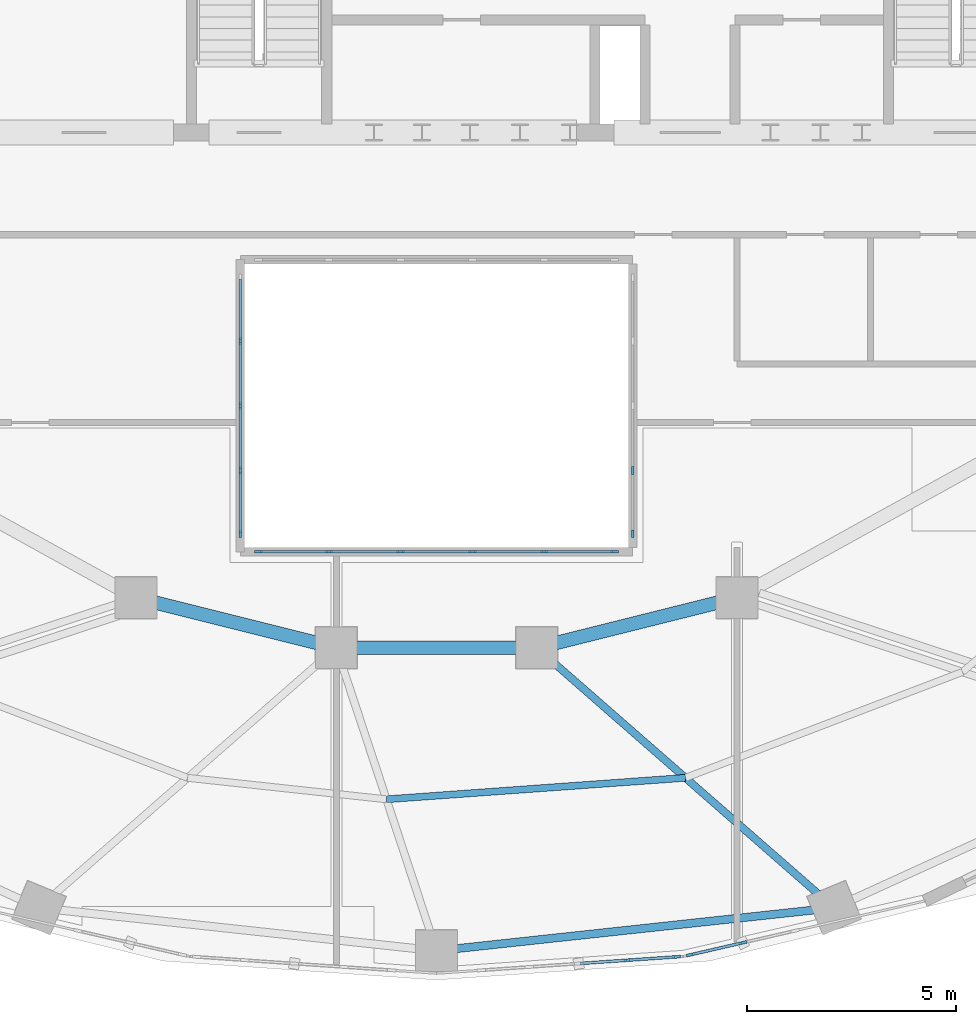
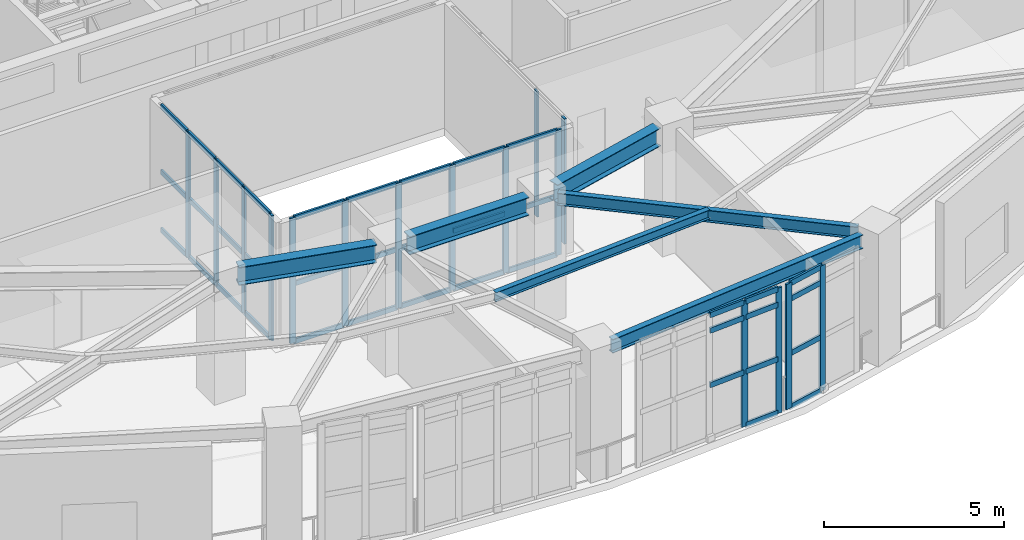
# One storey, part 3 of 11: 54 members, 6 beams, 5 elements without a shape of their own.
"""IFC4 building model written with IfcOpenShell, lengths in metres."""

from ifc_helpers import new_model, si_unit, direction, frame, origin, origin_2d, place, context, subcontext, project, spatial, rectangle, i_section, extrude, material, material_profile, profile_set, type_object, element, aggregate, save


model = new_model("IFC4")

# Units and contexts
model_context = context("Model", 3, precision=1e-05, world=origin(), true_north=direction((0.0, 1.0)))
body_context = subcontext(model_context, "Body", "Model", "MODEL_VIEW")
ifc_project = project(units=[si_unit("LENGTHUNIT", "METRE"), si_unit("AREAUNIT", "SQUARE_METRE"), si_unit("VOLUMEUNIT", "CUBIC_METRE"), si_unit("PLANEANGLEUNIT", "RADIAN"), si_unit("MASSUNIT", "GRAM", prefix="KILO")], contexts=[model_context])

# Site, building, storey
site_placement = place(None, origin())
site = spatial("IfcSite", under=ifc_project, at=site_placement, CompositionType="ELEMENT")
building_placement = place(site_placement, origin())
building = spatial("IfcBuilding", under=site, at=building_placement, Name="Haldorwick Loom Tower", CompositionType="ELEMENT")
storey_placement = place(building_placement, frame((0.0, 0.0, 247.800048828125)))
storey = spatial("IfcBuildingStorey", under=building, at=storey_placement, Name="L67", CompositionType="ELEMENT", Elevation=247.800048828125)

# Curtain wall, members
ifc_material_1 = material(Name="Thermally Broken Anodized Aluminium Curtain Wall Framing", Category="aluminium")
curtain_wall_type_1 = type_object("IfcCurtainWallType", Name="ARC-CW-03", PredefinedType="NOTDEFINED", material=ifc_material_1)
curtain_wall_1_placement = place(storey_placement, origin())
curtain_wall_1 = element("IfcCurtainWall", 1, at=curtain_wall_1_placement, inside=storey, type_object=curtain_wall_type_1, Name="L67 Atrium Glazed Screen S", PredefinedType="NOTDEFINED")
ifc_material_profile_1 = material_profile(ifc_material_1, rectangle(XDim=0.06591796875, YDim=0.18505859375, at=origin_2d()), Name="ALU_MUL_66X185", Category="aluminium")
ifc_profile_set_1 = profile_set([ifc_material_profile_1], Name="Thermally Broken Anodized Aluminium Curtain Wall Framing")
member_type_1 = type_object("IfcMemberType", Name="ARC-CWM-03", PredefinedType="MULLION", material=ifc_profile_set_1)
member_1_placement = place(storey_placement, frame((40.26708984375, 16.699951171875, 0.0), z_axis=(0.0, 0.0, 1.0), x_axis=(0.0, -1.0, 0.0)))
member_1 = element("IfcMember", 2, at=member_1_placement, type_object=member_type_1, Name="CW-03 mullion 1", PredefinedType="MULLION", context=body_context, shape_type="SweptSolid", body=[
    extrude(rectangle(XDim=0.06591796875, YDim=0.18505859375, at=origin_2d()), origin(), (0.0, 0.0, 1.0), 4.260009765625),
])
member_2_placement = place(storey_placement, frame((38.580078125, 16.699951171875, 0.0), z_axis=(0.0, 0.0, 1.0), x_axis=(0.0, -1.0, 0.0)))
member_2 = element("IfcMember", 3, at=member_2_placement, type_object=member_type_1, Name="CW-03 mullion 2", PredefinedType="MULLION", context=body_context, shape_type="SweptSolid", body=[
    extrude(rectangle(XDim=0.06591796875, YDim=0.18505859375, at=origin_2d()), origin(), (0.0, 0.0, 1.0), 4.260009765625),
])
member_3_placement = place(storey_placement, frame((36.860107421875, 16.699951171875, 0.0), z_axis=(0.0, 0.0, 1.0), x_axis=(0.0, -1.0, 0.0)))
member_3 = element("IfcMember", 4, at=member_3_placement, type_object=member_type_1, Name="CW-03 mullion 3", PredefinedType="MULLION", context=body_context, shape_type="SweptSolid", body=[
    extrude(rectangle(XDim=0.06591796875, YDim=0.18505859375, at=origin_2d()), origin(), (0.0, 0.0, 1.0), 4.260009765625),
])
member_4_placement = place(storey_placement, frame((35.139892578125, 16.699951171875, 0.0), z_axis=(0.0, 0.0, 1.0), x_axis=(0.0, -1.0, 0.0)))
member_4 = element("IfcMember", 5, at=member_4_placement, type_object=member_type_1, Name="CW-03 mullion 4", PredefinedType="MULLION", context=body_context, shape_type="SweptSolid", body=[
    extrude(rectangle(XDim=0.06591796875, YDim=0.18505859375, at=origin_2d()), origin(), (0.0, 0.0, 1.0), 4.260009765625),
])
member_5_placement = place(storey_placement, frame((33.419921875, 16.699951171875, 0.0), z_axis=(0.0, 0.0, 1.0), x_axis=(0.0, -1.0, 0.0)))
member_5 = element("IfcMember", 6, at=member_5_placement, type_object=member_type_1, Name="CW-03 mullion 5", PredefinedType="MULLION", context=body_context, shape_type="SweptSolid", body=[
    extrude(rectangle(XDim=0.06591796875, YDim=0.18505859375, at=origin_2d()), origin(), (0.0, 0.0, 1.0), 4.260009765625),
])
member_6_placement = place(storey_placement, frame((31.73291015625, 16.699951171875, 0.0), z_axis=(0.0, 0.0, 1.0), x_axis=(0.0, -1.0, 0.0)))
member_6 = element("IfcMember", 7, at=member_6_placement, type_object=member_type_1, Name="CW-03 mullion 6", PredefinedType="MULLION", context=body_context, shape_type="SweptSolid", body=[
    extrude(rectangle(XDim=0.06591796875, YDim=0.18505859375, at=origin_2d()), origin(), (0.0, 0.0, 1.0), 4.260009765625),
])

curtain_wall_2_placement = place(storey_placement, origin())
curtain_wall_2 = element("IfcCurtainWall", 8, at=curtain_wall_2_placement, inside=storey, type_object=curtain_wall_type_1, Name="L67 Atrium Glazed Screen W", PredefinedType="NOTDEFINED")
member_7_placement = place(storey_placement, frame((31.300048828125, 17.133056640625, 0.0), z_axis=(0.0, 0.0, 1.0), x_axis=(-1.0, 0.0, 0.0)))
member_7 = element("IfcMember", 9, at=member_7_placement, type_object=member_type_1, Name="CW-03 mullion 1", PredefinedType="MULLION", context=body_context, shape_type="SweptSolid", body=[
    extrude(rectangle(XDim=0.06591796875, YDim=0.18505859375, at=origin_2d()), origin(), (0.0, 0.0, 1.0), 4.260009765625),
])
member_8_placement = place(storey_placement, frame((31.300048828125, 18.64990234375, 0.0), z_axis=(0.0, 0.0, 1.0), x_axis=(-1.0, 0.0, 0.0)))
member_8 = element("IfcMember", 10, at=member_8_placement, type_object=member_type_1, Name="CW-03 mullion 2", PredefinedType="MULLION", context=body_context, shape_type="SweptSolid", body=[
    extrude(rectangle(XDim=0.06591796875, YDim=0.18505859375, at=origin_2d()), origin(), (0.0, 0.0, 1.0), 4.260009765625),
])
member_9_placement = place(storey_placement, frame((31.300048828125, 20.199951171875, 0.0), z_axis=(0.0, 0.0, 1.0), x_axis=(-1.0, 0.0, 0.0)))
member_9 = element("IfcMember", 11, at=member_9_placement, type_object=member_type_1, Name="CW-03 mullion 3", PredefinedType="MULLION", context=body_context, shape_type="SweptSolid", body=[
    extrude(rectangle(XDim=0.06591796875, YDim=0.18505859375, at=origin_2d()), origin(), (0.0, 0.0, 1.0), 4.260009765625),
])
member_10_placement = place(storey_placement, frame((31.300048828125, 21.75, 0.0), z_axis=(0.0, 0.0, 1.0), x_axis=(-1.0, 0.0, 0.0)))
member_10 = element("IfcMember", 12, at=member_10_placement, type_object=member_type_1, Name="CW-03 mullion 4", PredefinedType="MULLION", context=body_context, shape_type="SweptSolid", body=[
    extrude(rectangle(XDim=0.06591796875, YDim=0.18505859375, at=origin_2d()), origin(), (0.0, 0.0, 1.0), 4.260009765625),
])

curtain_wall_3_placement = place(storey_placement, origin())
curtain_wall_3 = element("IfcCurtainWall", 13, at=curtain_wall_3_placement, inside=storey, type_object=curtain_wall_type_1, Name="L67 Atrium Glazed Screen E", PredefinedType="NOTDEFINED")
member_11_placement = place(storey_placement, frame((40.699951171875, 18.64990234375, 0.0), z_axis=(0.0, 0.0, 1.0), x_axis=(1.0, 0.0, 0.0)))
member_11 = element("IfcMember", 14, at=member_11_placement, type_object=member_type_1, Name="CW-03 mullion 4", PredefinedType="MULLION", context=body_context, shape_type="SweptSolid", body=[
    extrude(rectangle(XDim=0.06591796875, YDim=0.18505859375, at=origin_2d()), origin(), (0.0, 0.0, 1.0), 4.260009765625),
])
member_12_placement = place(storey_placement, frame((40.699951171875, 17.133056640625, 0.0), z_axis=(0.0, 0.0, 1.0), x_axis=(1.0, 0.0, 0.0)))
member_12 = element("IfcMember", 15, at=member_12_placement, type_object=member_type_1, Name="CW-03 mullion 5", PredefinedType="MULLION", context=body_context, shape_type="SweptSolid", body=[
    extrude(rectangle(XDim=0.06591796875, YDim=0.18505859375, at=origin_2d()), origin(), (0.0, 0.0, 1.0), 4.260009765625),
])
aggregate(curtain_wall_3, [member_11, member_12])

curtain_wall_type_2 = type_object("IfcCurtainWallType", Name="ARC-CW-05", PredefinedType="NOTDEFINED", material=ifc_material_1)
curtain_wall_4_placement = place(storey_placement, origin())
curtain_wall_4 = element("IfcCurtainWall", 16, at=curtain_wall_4_placement, inside=storey, type_object=curtain_wall_type_2, Name="L67 Facade Curtain Wall CW-05 Bay 19", PredefinedType="NOTDEFINED")
ifc_material_profile_2 = material_profile(ifc_material_1, rectangle(XDim=0.068115234375, YDim=0.201904296875, at=origin_2d()), Name="ALU_MUL_68X202", Category="aluminium")
ifc_profile_set_2 = profile_set([ifc_material_profile_2], Name="Thermally Broken Anodized Aluminium Curtain Wall Framing")
member_type_2 = type_object("IfcMemberType", Name="ARC-CWM-05", PredefinedType="MULLION", material=ifc_profile_set_2)
member_13_placement = place(storey_placement, frame((40.593505859375, 6.915283203125, 0.0), z_axis=(0.0, 0.0, 1.0), x_axis=(-0.06845430734, 0.997654252638, 0.0)))
member_13 = element("IfcMember", 17, at=member_13_placement, type_object=member_type_2, Name="CW-05 mullion 4", PredefinedType="MULLION", context=body_context, shape_type="SweptSolid", body=[
    extrude(rectangle(XDim=0.068115234375, YDim=0.201904296875, at=origin_2d()), origin(), (0.0, 0.0, 1.0), 4.260009765625),
])
member_14_placement = place(storey_placement, frame((41.745849609375, 6.994384765625, 0.0), z_axis=(0.0, 0.0, 1.0), x_axis=(-0.06845430734, 0.997654252638, 0.0)))
member_14 = element("IfcMember", 18, at=member_14_placement, type_object=member_type_2, Name="CW-05 mullion 5", PredefinedType="MULLION", context=body_context, shape_type="SweptSolid", body=[
    extrude(rectangle(XDim=0.068115234375, YDim=0.201904296875, at=origin_2d()), origin(), (0.0, 0.0, 1.0), 4.260009765625),
])

curtain_wall_5_placement = place(storey_placement, origin())
curtain_wall_5 = element("IfcCurtainWall", 19, at=curtain_wall_5_placement, inside=storey, type_object=curtain_wall_type_2, Name="L67 Facade Curtain Wall CW-05 Bay 20", PredefinedType="NOTDEFINED")
member_15_placement = place(storey_placement, frame((42.089111328125, 7.045166015625, 0.0), z_axis=(0.0, 0.0, 1.0), x_axis=(-0.223948599878, 0.974600956604, 0.0)))
member_15 = element("IfcMember", 20, at=member_15_placement, type_object=member_type_2, Name="CW-05 mullion 1", PredefinedType="MULLION", context=body_context, shape_type="SweptSolid", body=[
    extrude(rectangle(XDim=0.068115234375, YDim=0.201904296875, at=origin_2d()), origin(), (0.0, 0.0, 1.0), 4.260009765625),
])
member_16_placement = place(storey_placement, frame((43.341552734375, 7.3330078125, 0.0), z_axis=(0.0, 0.0, 1.0), x_axis=(-0.223948599878, 0.974600956604, 0.0)))
member_16 = element("IfcMember", 21, at=member_16_placement, type_object=member_type_2, Name="CW-05 mullion 2", PredefinedType="MULLION", context=body_context, shape_type="SweptSolid", body=[
    extrude(rectangle(XDim=0.068115234375, YDim=0.201904296875, at=origin_2d()), origin(), (0.0, 0.0, 1.0), 4.260009765625),
])

# Member
ifc_material_profile_3 = material_profile(ifc_material_1, rectangle(XDim=0.06591796875, YDim=0.1650390625, at=origin_2d()), Name="ALU_TRN_66X165", Category="aluminium")
ifc_profile_set_3 = profile_set([ifc_material_profile_3], Name="Thermally Broken Anodized Aluminium Curtain Wall Framing")
member_type_3 = type_object("IfcMemberType", Name="ARC-CWT-03", PredefinedType="USERDEFINED", material=ifc_profile_set_3)
member_17_placement = place(storey_placement, frame((40.23388671875, 16.699951171875, 0.032958984375), z_axis=(-1.0, 0.0, 0.0), x_axis=(0.0, -1.0, 0.0)))
member_17 = element("IfcMember", 22, at=member_17_placement, type_object=member_type_3, Name="CW-03 transom 1.1", ObjectType="TRANSOM", PredefinedType="USERDEFINED", context=body_context, shape_type="SweptSolid", body=[
    extrude(rectangle(XDim=0.06591796875, YDim=0.1650390625, at=origin_2d()), origin(), (0.0, 0.0, 1.0), 1.620849609375),
])

member_18_placement = place(storey_placement, frame((40.23388671875, 16.699951171875, 2.0), z_axis=(-1.0, 0.0, 0.0), x_axis=(0.0, -1.0, 0.0)))
member_18 = element("IfcMember", 23, at=member_18_placement, type_object=member_type_3, Name="CW-03 transom 1.2", ObjectType="TRANSOM", PredefinedType="USERDEFINED", context=body_context, shape_type="SweptSolid", body=[
    extrude(rectangle(XDim=0.06591796875, YDim=0.1650390625, at=origin_2d()), origin(), (0.0, 0.0, 1.0), 1.620849609375),
])

member_19_placement = place(storey_placement, frame((40.23388671875, 16.699951171875, 4.22705078125), z_axis=(-1.0, 0.0, 0.0), x_axis=(0.0, -1.0, 0.0)))
member_19 = element("IfcMember", 24, at=member_19_placement, type_object=member_type_3, Name="CW-03 transom 1.3", ObjectType="TRANSOM", PredefinedType="USERDEFINED", context=body_context, shape_type="SweptSolid", body=[
    extrude(rectangle(XDim=0.06591796875, YDim=0.1650390625, at=origin_2d()), origin(), (0.0, 0.0, 1.0), 1.620849609375),
])

member_20_placement = place(storey_placement, frame((38.547119140625, 16.699951171875, 0.032958984375), z_axis=(-1.0, 0.0, 0.0), x_axis=(0.0, -1.0, 0.0)))
member_20 = element("IfcMember", 25, at=member_20_placement, type_object=member_type_3, Name="CW-03 transom 2.1", ObjectType="TRANSOM", PredefinedType="USERDEFINED", context=body_context, shape_type="SweptSolid", body=[
    extrude(rectangle(XDim=0.06591796875, YDim=0.1650390625, at=origin_2d()), origin(), (0.0, 0.0, 1.0), 1.654052734375),
])

member_21_placement = place(storey_placement, frame((38.547119140625, 16.699951171875, 2.0), z_axis=(-1.0, 0.0, 0.0), x_axis=(0.0, -1.0, 0.0)))
member_21 = element("IfcMember", 26, at=member_21_placement, type_object=member_type_3, Name="CW-03 transom 2.2", ObjectType="TRANSOM", PredefinedType="USERDEFINED", context=body_context, shape_type="SweptSolid", body=[
    extrude(rectangle(XDim=0.06591796875, YDim=0.1650390625, at=origin_2d()), origin(), (0.0, 0.0, 1.0), 1.654052734375),
])

member_22_placement = place(storey_placement, frame((38.547119140625, 16.699951171875, 4.22705078125), z_axis=(-1.0, 0.0, 0.0), x_axis=(0.0, -1.0, 0.0)))
member_22 = element("IfcMember", 27, at=member_22_placement, type_object=member_type_3, Name="CW-03 transom 2.3", ObjectType="TRANSOM", PredefinedType="USERDEFINED", context=body_context, shape_type="SweptSolid", body=[
    extrude(rectangle(XDim=0.06591796875, YDim=0.1650390625, at=origin_2d()), origin(), (0.0, 0.0, 1.0), 1.654052734375),
])

member_23_placement = place(storey_placement, frame((36.826904296875, 16.699951171875, 0.032958984375), z_axis=(-1.0, 0.0, 0.0), x_axis=(0.0, -1.0, 0.0)))
member_23 = element("IfcMember", 28, at=member_23_placement, type_object=member_type_3, Name="CW-03 transom 3.1", ObjectType="TRANSOM", PredefinedType="USERDEFINED", context=body_context, shape_type="SweptSolid", body=[
    extrude(rectangle(XDim=0.06591796875, YDim=0.1650390625, at=origin_2d()), origin(), (0.0, 0.0, 1.0), 1.65380859375),
])

member_24_placement = place(storey_placement, frame((36.826904296875, 16.699951171875, 2.0), z_axis=(-1.0, 0.0, 0.0), x_axis=(0.0, -1.0, 0.0)))
member_24 = element("IfcMember", 29, at=member_24_placement, type_object=member_type_3, Name="CW-03 transom 3.2", ObjectType="TRANSOM", PredefinedType="USERDEFINED", context=body_context, shape_type="SweptSolid", body=[
    extrude(rectangle(XDim=0.06591796875, YDim=0.1650390625, at=origin_2d()), origin(), (0.0, 0.0, 1.0), 1.65380859375),
])

member_25_placement = place(storey_placement, frame((36.826904296875, 16.699951171875, 4.22705078125), z_axis=(-1.0, 0.0, 0.0), x_axis=(0.0, -1.0, 0.0)))
member_25 = element("IfcMember", 30, at=member_25_placement, type_object=member_type_3, Name="CW-03 transom 3.3", ObjectType="TRANSOM", PredefinedType="USERDEFINED", context=body_context, shape_type="SweptSolid", body=[
    extrude(rectangle(XDim=0.06591796875, YDim=0.1650390625, at=origin_2d()), origin(), (0.0, 0.0, 1.0), 1.65380859375),
])

member_26_placement = place(storey_placement, frame((35.10693359375, 16.699951171875, 0.032958984375), z_axis=(-1.0, 0.0, 0.0), x_axis=(0.0, -1.0, 0.0)))
member_26 = element("IfcMember", 31, at=member_26_placement, type_object=member_type_3, Name="CW-03 transom 4.1", ObjectType="TRANSOM", PredefinedType="USERDEFINED", context=body_context, shape_type="SweptSolid", body=[
    extrude(rectangle(XDim=0.06591796875, YDim=0.1650390625, at=origin_2d()), origin(), (0.0, 0.0, 1.0), 1.654052734375),
])

member_27_placement = place(storey_placement, frame((35.10693359375, 16.699951171875, 2.0), z_axis=(-1.0, 0.0, 0.0), x_axis=(0.0, -1.0, 0.0)))
member_27 = element("IfcMember", 32, at=member_27_placement, type_object=member_type_3, Name="CW-03 transom 4.2", ObjectType="TRANSOM", PredefinedType="USERDEFINED", context=body_context, shape_type="SweptSolid", body=[
    extrude(rectangle(XDim=0.06591796875, YDim=0.1650390625, at=origin_2d()), origin(), (0.0, 0.0, 1.0), 1.654052734375),
])

member_28_placement = place(storey_placement, frame((35.10693359375, 16.699951171875, 4.22705078125), z_axis=(-1.0, 0.0, 0.0), x_axis=(0.0, -1.0, 0.0)))
member_28 = element("IfcMember", 33, at=member_28_placement, type_object=member_type_3, Name="CW-03 transom 4.3", ObjectType="TRANSOM", PredefinedType="USERDEFINED", context=body_context, shape_type="SweptSolid", body=[
    extrude(rectangle(XDim=0.06591796875, YDim=0.1650390625, at=origin_2d()), origin(), (0.0, 0.0, 1.0), 1.654052734375),
])

member_29_placement = place(storey_placement, frame((33.386962890625, 16.699951171875, 0.032958984375), z_axis=(-1.0, 0.0, 0.0), x_axis=(0.0, -1.0, 0.0)))
member_29 = element("IfcMember", 34, at=member_29_placement, type_object=member_type_3, Name="CW-03 transom 5.1", ObjectType="TRANSOM", PredefinedType="USERDEFINED", context=body_context, shape_type="SweptSolid", body=[
    extrude(rectangle(XDim=0.06591796875, YDim=0.1650390625, at=origin_2d()), origin(), (0.0, 0.0, 1.0), 1.620849609375),
])

member_30_placement = place(storey_placement, frame((33.386962890625, 16.699951171875, 2.0), z_axis=(-1.0, 0.0, 0.0), x_axis=(0.0, -1.0, 0.0)))
member_30 = element("IfcMember", 35, at=member_30_placement, type_object=member_type_3, Name="CW-03 transom 5.2", ObjectType="TRANSOM", PredefinedType="USERDEFINED", context=body_context, shape_type="SweptSolid", body=[
    extrude(rectangle(XDim=0.06591796875, YDim=0.1650390625, at=origin_2d()), origin(), (0.0, 0.0, 1.0), 1.620849609375),
])

member_31_placement = place(storey_placement, frame((33.386962890625, 16.699951171875, 4.22705078125), z_axis=(-1.0, 0.0, 0.0), x_axis=(0.0, -1.0, 0.0)))
member_31 = element("IfcMember", 36, at=member_31_placement, type_object=member_type_3, Name="CW-03 transom 5.3", ObjectType="TRANSOM", PredefinedType="USERDEFINED", context=body_context, shape_type="SweptSolid", body=[
    extrude(rectangle(XDim=0.06591796875, YDim=0.1650390625, at=origin_2d()), origin(), (0.0, 0.0, 1.0), 1.620849609375),
])

aggregate(curtain_wall_1, [member_1, member_2, member_3, member_4, member_5, member_6, member_17, member_18, member_19, member_20, member_21, member_22, member_23, member_24, member_25, member_26, member_27, member_28, member_29, member_30, member_31])

member_32_placement = place(storey_placement, frame((31.300048828125, 17.166015625, 0.032958984375), z_axis=(0.0, 1.0, 0.0), x_axis=(-1.0, 0.0, 0.0)))
member_32 = element("IfcMember", 37, at=member_32_placement, type_object=member_type_3, Name="CW-03 transom 1.1", ObjectType="TRANSOM", PredefinedType="USERDEFINED", context=body_context, shape_type="SweptSolid", body=[
    extrude(rectangle(XDim=0.06591796875, YDim=0.1650390625, at=origin_2d()), origin(), (0.0, 0.0, 1.0), 1.450927734375),
])

member_33_placement = place(storey_placement, frame((31.300048828125, 17.166015625, 2.0), z_axis=(0.0, 1.0, 0.0), x_axis=(-1.0, 0.0, 0.0)))
member_33 = element("IfcMember", 38, at=member_33_placement, type_object=member_type_3, Name="CW-03 transom 1.2", ObjectType="TRANSOM", PredefinedType="USERDEFINED", context=body_context, shape_type="SweptSolid", body=[
    extrude(rectangle(XDim=0.06591796875, YDim=0.1650390625, at=origin_2d()), origin(), (0.0, 0.0, 1.0), 1.450927734375),
])

member_34_placement = place(storey_placement, frame((31.300048828125, 17.166015625, 4.22705078125), z_axis=(0.0, 1.0, 0.0), x_axis=(-1.0, 0.0, 0.0)))
member_34 = element("IfcMember", 39, at=member_34_placement, type_object=member_type_3, Name="CW-03 transom 1.3", ObjectType="TRANSOM", PredefinedType="USERDEFINED", context=body_context, shape_type="SweptSolid", body=[
    extrude(rectangle(XDim=0.06591796875, YDim=0.1650390625, at=origin_2d()), origin(), (0.0, 0.0, 1.0), 1.450927734375),
])

member_35_placement = place(storey_placement, frame((31.300048828125, 18.68310546875, 0.032958984375), z_axis=(0.0, 1.0, 0.0), x_axis=(-1.0, 0.0, 0.0)))
member_35 = element("IfcMember", 40, at=member_35_placement, type_object=member_type_3, Name="CW-03 transom 2.1", ObjectType="TRANSOM", PredefinedType="USERDEFINED", context=body_context, shape_type="SweptSolid", body=[
    extrude(rectangle(XDim=0.06591796875, YDim=0.1650390625, at=origin_2d()), origin(), (0.0, 0.0, 1.0), 1.48388671875),
])

member_36_placement = place(storey_placement, frame((31.300048828125, 18.68310546875, 2.0), z_axis=(0.0, 1.0, 0.0), x_axis=(-1.0, 0.0, 0.0)))
member_36 = element("IfcMember", 41, at=member_36_placement, type_object=member_type_3, Name="CW-03 transom 2.2", ObjectType="TRANSOM", PredefinedType="USERDEFINED", context=body_context, shape_type="SweptSolid", body=[
    extrude(rectangle(XDim=0.06591796875, YDim=0.1650390625, at=origin_2d()), origin(), (0.0, 0.0, 1.0), 1.48388671875),
])

member_37_placement = place(storey_placement, frame((31.300048828125, 18.68310546875, 4.22705078125), z_axis=(0.0, 1.0, 0.0), x_axis=(-1.0, 0.0, 0.0)))
member_37 = element("IfcMember", 42, at=member_37_placement, type_object=member_type_3, Name="CW-03 transom 2.3", ObjectType="TRANSOM", PredefinedType="USERDEFINED", context=body_context, shape_type="SweptSolid", body=[
    extrude(rectangle(XDim=0.06591796875, YDim=0.1650390625, at=origin_2d()), origin(), (0.0, 0.0, 1.0), 1.48388671875),
])

member_38_placement = place(storey_placement, frame((31.300048828125, 20.23291015625, 0.032958984375), z_axis=(0.0, 1.0, 0.0), x_axis=(-1.0, 0.0, 0.0)))
member_38 = element("IfcMember", 43, at=member_38_placement, type_object=member_type_3, Name="CW-03 transom 3.1", ObjectType="TRANSOM", PredefinedType="USERDEFINED", context=body_context, shape_type="SweptSolid", body=[
    extrude(rectangle(XDim=0.06591796875, YDim=0.1650390625, at=origin_2d()), origin(), (0.0, 0.0, 1.0), 1.484130859375),
])

member_39_placement = place(storey_placement, frame((31.300048828125, 20.23291015625, 2.0), z_axis=(0.0, 1.0, 0.0), x_axis=(-1.0, 0.0, 0.0)))
member_39 = element("IfcMember", 44, at=member_39_placement, type_object=member_type_3, Name="CW-03 transom 3.2", ObjectType="TRANSOM", PredefinedType="USERDEFINED", context=body_context, shape_type="SweptSolid", body=[
    extrude(rectangle(XDim=0.06591796875, YDim=0.1650390625, at=origin_2d()), origin(), (0.0, 0.0, 1.0), 1.484130859375),
])

member_40_placement = place(storey_placement, frame((31.300048828125, 20.23291015625, 4.22705078125), z_axis=(0.0, 1.0, 0.0), x_axis=(-1.0, 0.0, 0.0)))
member_40 = element("IfcMember", 45, at=member_40_placement, type_object=member_type_3, Name="CW-03 transom 3.3", ObjectType="TRANSOM", PredefinedType="USERDEFINED", context=body_context, shape_type="SweptSolid", body=[
    extrude(rectangle(XDim=0.06591796875, YDim=0.1650390625, at=origin_2d()), origin(), (0.0, 0.0, 1.0), 1.484130859375),
])

member_41_placement = place(storey_placement, frame((31.300048828125, 21.782958984375, 0.032958984375), z_axis=(0.0, 1.0, 0.0), x_axis=(-1.0, 0.0, 0.0)))
member_41 = element("IfcMember", 46, at=member_41_placement, type_object=member_type_3, Name="CW-03 transom 4.1", ObjectType="TRANSOM", PredefinedType="USERDEFINED", context=body_context, shape_type="SweptSolid", body=[
    extrude(rectangle(XDim=0.06591796875, YDim=0.1650390625, at=origin_2d()), origin(), (0.0, 0.0, 1.0), 1.450927734375),
])

member_42_placement = place(storey_placement, frame((31.300048828125, 21.782958984375, 2.0), z_axis=(0.0, 1.0, 0.0), x_axis=(-1.0, 0.0, 0.0)))
member_42 = element("IfcMember", 47, at=member_42_placement, type_object=member_type_3, Name="CW-03 transom 4.2", ObjectType="TRANSOM", PredefinedType="USERDEFINED", context=body_context, shape_type="SweptSolid", body=[
    extrude(rectangle(XDim=0.06591796875, YDim=0.1650390625, at=origin_2d()), origin(), (0.0, 0.0, 1.0), 1.450927734375),
])

member_43_placement = place(storey_placement, frame((31.300048828125, 21.782958984375, 4.22705078125), z_axis=(0.0, 1.0, 0.0), x_axis=(-1.0, 0.0, 0.0)))
member_43 = element("IfcMember", 48, at=member_43_placement, type_object=member_type_3, Name="CW-03 transom 4.3", ObjectType="TRANSOM", PredefinedType="USERDEFINED", context=body_context, shape_type="SweptSolid", body=[
    extrude(rectangle(XDim=0.06591796875, YDim=0.1650390625, at=origin_2d()), origin(), (0.0, 0.0, 1.0), 1.450927734375),
])

aggregate(curtain_wall_2, [member_7, member_8, member_9, member_10, member_32, member_33, member_34, member_35, member_36, member_37, member_38, member_39, member_40, member_41, member_42, member_43])

ifc_material_profile_4 = material_profile(ifc_material_1, rectangle(XDim=0.068115234375, YDim=0.181884765625, at=origin_2d()), Name="ALU_TRN_68X182", Category="aluminium")
ifc_profile_set_4 = profile_set([ifc_material_profile_4], Name="Thermally Broken Anodized Aluminium Curtain Wall Framing")
member_type_4 = type_object("IfcMemberType", Name="ARC-CWT-05", PredefinedType="USERDEFINED", material=ifc_profile_set_4)
member_44_placement = place(storey_placement, frame((39.441162109375, 6.836181640625, 1.849853515625), z_axis=(0.997659106394, 0.068383531851, 0.0), x_axis=(-0.068383531851, 0.997659106394, 0.0)))
member_44 = element("IfcMember", 49, at=member_44_placement, type_object=member_type_4, Name="CW-05 transom 3.2", ObjectType="TRANSOM", PredefinedType="USERDEFINED", context=body_context, shape_type="SweptSolid", body=[
    extrude(rectangle(XDim=0.068115234375, YDim=0.181884765625, at=origin_2d()), origin(), (0.0, 0.0, 1.0), 1.12109375),
])

member_45_placement = place(storey_placement, frame((39.441162109375, 6.836181640625, 3.699951171875), z_axis=(0.997659106394, 0.068383531851, 0.0), x_axis=(-0.068383531851, 0.997659106394, 0.0)))
member_45 = element("IfcMember", 50, at=member_45_placement, type_object=member_type_4, Name="CW-05 transom 3.3", ObjectType="TRANSOM", PredefinedType="USERDEFINED", context=body_context, shape_type="SweptSolid", body=[
    extrude(rectangle(XDim=0.068115234375, YDim=0.181884765625, at=origin_2d()), origin(), (0.0, 0.0, 1.0), 1.12109375),
])

member_46_placement = place(storey_placement, frame((39.441162109375, 6.836181640625, 4.225830078125), z_axis=(0.997659106394, 0.068383531851, 0.0), x_axis=(-0.068383531851, 0.997659106394, 0.0)))
member_46 = element("IfcMember", 51, at=member_46_placement, type_object=member_type_4, Name="CW-05 transom 3.4", ObjectType="TRANSOM", PredefinedType="USERDEFINED", context=body_context, shape_type="SweptSolid", body=[
    extrude(rectangle(XDim=0.068115234375, YDim=0.181884765625, at=origin_2d()), origin(), (0.0, 0.0, 1.0), 1.12109375),
])

member_47_placement = place(storey_placement, frame((40.62744140625, 6.91748046875, 0.033935546875), z_axis=(0.997651014979, 0.068501476715, 0.0), x_axis=(-0.068501476715, 0.997651014979, 0.0)))
member_47 = element("IfcMember", 52, at=member_47_placement, type_object=member_type_4, Name="CW-05 transom 4.1", ObjectType="TRANSOM", PredefinedType="USERDEFINED", context=body_context, shape_type="SweptSolid", body=[
    extrude(rectangle(XDim=0.068115234375, YDim=0.181884765625, at=origin_2d()), origin(), (0.0, 0.0, 1.0), 1.0869140625),
])

member_48_placement = place(storey_placement, frame((40.62744140625, 6.91748046875, 1.849853515625), z_axis=(0.997651014979, 0.068501476715, 0.0), x_axis=(-0.068501476715, 0.997651014979, 0.0)))
member_48 = element("IfcMember", 53, at=member_48_placement, type_object=member_type_4, Name="CW-05 transom 4.2", ObjectType="TRANSOM", PredefinedType="USERDEFINED", context=body_context, shape_type="SweptSolid", body=[
    extrude(rectangle(XDim=0.068115234375, YDim=0.181884765625, at=origin_2d()), origin(), (0.0, 0.0, 1.0), 1.0869140625),
])

member_49_placement = place(storey_placement, frame((40.62744140625, 6.91748046875, 3.699951171875), z_axis=(0.997651014979, 0.068501476715, 0.0), x_axis=(-0.068501476715, 0.997651014979, 0.0)))
member_49 = element("IfcMember", 54, at=member_49_placement, type_object=member_type_4, Name="CW-05 transom 4.3", ObjectType="TRANSOM", PredefinedType="USERDEFINED", context=body_context, shape_type="SweptSolid", body=[
    extrude(rectangle(XDim=0.068115234375, YDim=0.181884765625, at=origin_2d()), origin(), (0.0, 0.0, 1.0), 1.0869140625),
])

member_50_placement = place(storey_placement, frame((40.62744140625, 6.91748046875, 4.225830078125), z_axis=(0.997651014979, 0.068501476715, 0.0), x_axis=(-0.068501476715, 0.997651014979, 0.0)))
member_50 = element("IfcMember", 55, at=member_50_placement, type_object=member_type_4, Name="CW-05 transom 4.4", ObjectType="TRANSOM", PredefinedType="USERDEFINED", context=body_context, shape_type="SweptSolid", body=[
    extrude(rectangle(XDim=0.068115234375, YDim=0.181884765625, at=origin_2d()), origin(), (0.0, 0.0, 1.0), 1.0869140625),
])

aggregate(curtain_wall_4, [member_13, member_14, member_44, member_45, member_46, member_47, member_48, member_49, member_50])

member_51_placement = place(storey_placement, frame((42.1220703125, 7.052734375, 0.033935546875), z_axis=(0.974580154458, 0.224039109391, 0.0), x_axis=(-0.224039109391, 0.974580154458, 0.0)))
member_51 = element("IfcMember", 56, at=member_51_placement, type_object=member_type_4, Name="CW-05 transom 1.1", ObjectType="TRANSOM", PredefinedType="USERDEFINED", context=body_context, shape_type="SweptSolid", body=[
    extrude(rectangle(XDim=0.068115234375, YDim=0.181884765625, at=origin_2d()), origin(), (0.0, 0.0, 1.0), 1.21728515625),
])

member_52_placement = place(storey_placement, frame((42.1220703125, 7.052734375, 1.849853515625), z_axis=(0.974580154458, 0.224039109391, 0.0), x_axis=(-0.224039109391, 0.974580154458, 0.0)))
member_52 = element("IfcMember", 57, at=member_52_placement, type_object=member_type_4, Name="CW-05 transom 1.2", ObjectType="TRANSOM", PredefinedType="USERDEFINED", context=body_context, shape_type="SweptSolid", body=[
    extrude(rectangle(XDim=0.068115234375, YDim=0.181884765625, at=origin_2d()), origin(), (0.0, 0.0, 1.0), 1.21728515625),
])

member_53_placement = place(storey_placement, frame((42.1220703125, 7.052734375, 3.699951171875), z_axis=(0.974580154458, 0.224039109391, 0.0), x_axis=(-0.224039109391, 0.974580154458, 0.0)))
member_53 = element("IfcMember", 58, at=member_53_placement, type_object=member_type_4, Name="CW-05 transom 1.3", ObjectType="TRANSOM", PredefinedType="USERDEFINED", context=body_context, shape_type="SweptSolid", body=[
    extrude(rectangle(XDim=0.068115234375, YDim=0.181884765625, at=origin_2d()), origin(), (0.0, 0.0, 1.0), 1.21728515625),
])

member_54_placement = place(storey_placement, frame((42.1220703125, 7.052734375, 4.225830078125), z_axis=(0.974580154458, 0.224039109391, 0.0), x_axis=(-0.224039109391, 0.974580154458, 0.0)))
member_54 = element("IfcMember", 59, at=member_54_placement, type_object=member_type_4, Name="CW-05 transom 1.4", ObjectType="TRANSOM", PredefinedType="USERDEFINED", context=body_context, shape_type="SweptSolid", body=[
    extrude(rectangle(XDim=0.068115234375, YDim=0.181884765625, at=origin_2d()), origin(), (0.0, 0.0, 1.0), 1.21728515625),
])

aggregate(curtain_wall_5, [member_15, member_16, member_51, member_52, member_53, member_54])

# Beams
ifc_material_2 = material(Name="Steel CSA G40.21 350W", Category="steel")
ifc_material_profile_5 = material_profile(ifc_material_2, i_section(OverallWidth=0.166015625, OverallDepth=0.31298828125, WebThickness=0.006591796875, FlangeThickness=0.01123046875, at=origin_2d()), Name="W310X45", Category="steel")
ifc_profile_set_5 = profile_set([ifc_material_profile_5], Name="Steel CSA G40.21 350W")
beam_type_1 = type_object("IfcBeamType", Name="STR-BM-J310", PredefinedType="JOIST", material=ifc_profile_set_5)
beam_1_placement = place(storey_placement, frame((34.800048828125, 10.77001953125, 4.103515625), z_axis=(0.997432233153, 0.071616620046, 0.0), x_axis=(-0.071616620046, 0.997432233153, 0.0)))
element("IfcBeam", 60, at=beam_1_placement, inside=storey, type_object=beam_type_1, Name="L67 Mid-Bay Secondary Joist 13", PredefinedType="JOIST", context=body_context, shape_type="SweptSolid", body=[
    extrude(i_section(OverallWidth=0.166015625, OverallDepth=0.31298828125, WebThickness=0.006591796875, FlangeThickness=0.01123046875, at=origin_2d()), origin(), (0.0, 0.0, 1.0), 7.182861328125),
])
ifc_material_profile_6 = material_profile(ifc_material_2, i_section(OverallWidth=0.179931640625, OverallDepth=0.4130859375, WebThickness=0.009765625, FlangeThickness=0.01611328125, at=origin_2d()), Name="W410X74", Category="steel")
ifc_profile_set_6 = profile_set([ifc_material_profile_6], Name="Steel CSA G40.21 350W")
beam_type_2 = type_object("IfcBeamType", Name="STR-BM-J410", PredefinedType="JOIST", material=ifc_profile_set_6)
beam_2_placement = place(storey_placement, frame((38.757568359375, 14.08740234375, 4.053466796875), z_axis=(0.752935231169, -0.65809462668, 0.0), x_axis=(0.65809462668, 0.752935231169, 0.0)))
element("IfcBeam", 61, at=beam_2_placement, inside=storey, type_object=beam_type_2, Name="L67 Radial Floor Girder 14", PredefinedType="JOIST", context=body_context, shape_type="SweptSolid", body=[
    extrude(i_section(OverallWidth=0.179931640625, OverallDepth=0.4130859375, WebThickness=0.009765625, FlangeThickness=0.01611328125, at=origin_2d()), origin(), (0.0, 0.0, 1.0), 8.51806640625),
])
ifc_material_profile_7 = material_profile(ifc_material_2, i_section(OverallWidth=0.193115234375, OverallDepth=0.466064453125, WebThickness=0.011474609375, FlangeThickness=0.01904296875, at=origin_2d()), Name="W460X97", Category="steel")
ifc_profile_set_7 = profile_set([ifc_material_profile_7], Name="Steel CSA G40.21 350W")
beam_type_3 = type_object("IfcBeamType", Name="STR-BM-SP460", PredefinedType="SPANDREL", material=ifc_profile_set_7)
beam_3_placement = place(storey_placement, frame((36.472412109375, 7.19091796875, 4.02685546875), z_axis=(0.994216353781, 0.107395725588, 0.0), x_axis=(-0.107395725588, 0.994216353781, 0.0)))
element("IfcBeam", 62, at=beam_3_placement, inside=storey, type_object=beam_type_3, Name="L67 Perimeter Spandrel 13", PredefinedType="SPANDREL", context=body_context, shape_type="SweptSolid", body=[
    extrude(i_section(OverallWidth=0.193115234375, OverallDepth=0.466064453125, WebThickness=0.011474609375, FlangeThickness=0.01904296875, at=origin_2d()), origin(), (0.0, 0.0, 1.0), 8.634033203125),
])
ifc_material_profile_8 = material_profile(ifc_material_2, i_section(OverallWidth=0.324951171875, OverallDepth=0.615966796875, WebThickness=0.013916015625, FlangeThickness=0.021484375, at=origin_2d()), Name="W610X174", Category="steel")
ifc_profile_set_8 = profile_set([ifc_material_profile_8], Name="Steel CSA G40.21 350W")
beam_type_4 = type_object("IfcBeamType", Name="STR-BM-W610A", PredefinedType="BEAM", material=ifc_profile_set_8)
beam_4_placement = place(storey_placement, frame((42.7392578125, 15.48486328125, 3.951904296875), z_axis=(-0.970135315182, -0.242564363081, 0.0), x_axis=(0.242564363081, -0.970135315182, 0.0)))
element("IfcBeam", 63, at=beam_4_placement, inside=storey, type_object=beam_type_4, Name="L67 Inner Ring Girder 4", PredefinedType="BEAM", context=body_context, shape_type="SweptSolid", body=[
    extrude(i_section(OverallWidth=0.324951171875, OverallDepth=0.615966796875, WebThickness=0.013916015625, FlangeThickness=0.021484375, at=origin_2d()), origin(), (0.0, 0.0, 1.0), 3.997802734375),
])
beam_5_placement = place(storey_placement, frame((37.925048828125, 14.39990234375, 3.951904296875), z_axis=(-1.0, 0.0, 0.0), x_axis=(0.0, -1.0, 0.0)))
element("IfcBeam", 64, at=beam_5_placement, inside=storey, type_object=beam_type_4, Name="L67 Inner Ring Girder 5", PredefinedType="BEAM", context=body_context, shape_type="SweptSolid", body=[
    extrude(i_section(OverallWidth=0.324951171875, OverallDepth=0.615966796875, WebThickness=0.013916015625, FlangeThickness=0.021484375, at=origin_2d()), origin(), (0.0, 0.0, 1.0), 3.85009765625),
])
beam_6_placement = place(storey_placement, frame((33.13916015625, 14.51513671875, 3.951904296875), z_axis=(-0.970135315182, 0.242564363081, 0.0), x_axis=(-0.242564363081, -0.970135315182, 0.0)))
element("IfcBeam", 65, at=beam_6_placement, inside=storey, type_object=beam_type_4, Name="L67 Inner Ring Girder 6", PredefinedType="BEAM", context=body_context, shape_type="SweptSolid", body=[
    extrude(i_section(OverallWidth=0.324951171875, OverallDepth=0.615966796875, WebThickness=0.013916015625, FlangeThickness=0.021484375, at=origin_2d()), origin(), (0.0, 0.0, 1.0), 3.997802734375),
])

save(model, "model.ifc")
